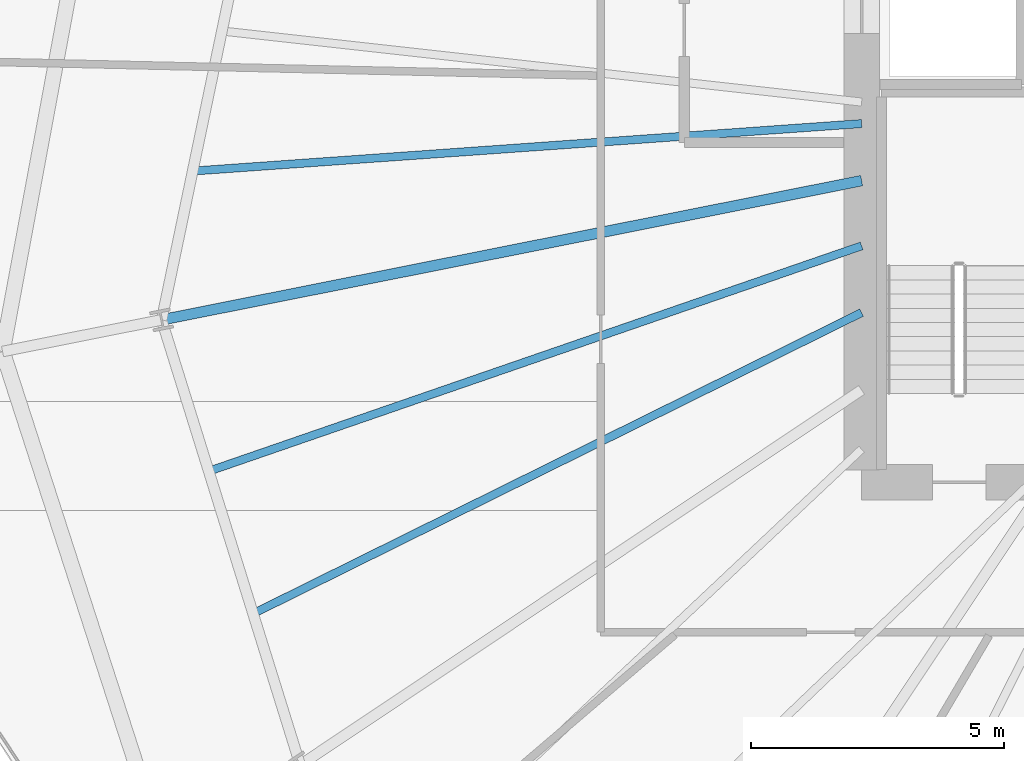
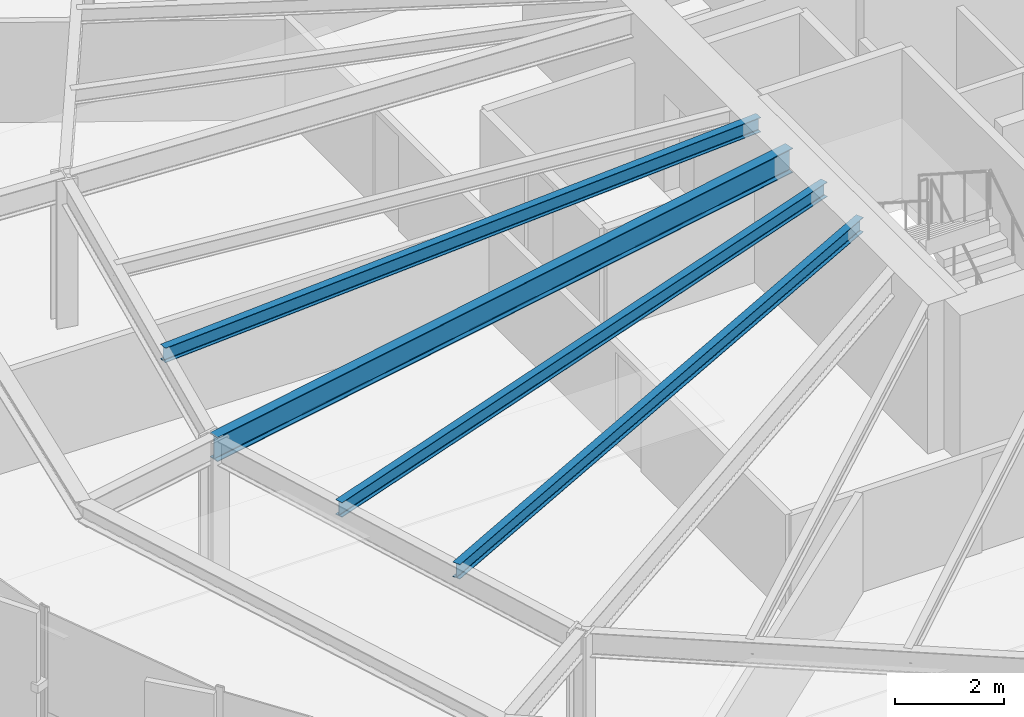
# One storey, part 8 of 35: 4 beams.
"""IFC4 building model written with IfcOpenShell, lengths in metres."""

from ifc_helpers import new_model, si_unit, direction, frame, origin, origin_2d, place, context, subcontext, project, spatial, i_section, extrude, source, transform, mapped, material, material_profile, profile_set, type_object, element, save


model = new_model("IFC4")

# Units and contexts
model_context = context("Model", 3, precision=1e-05, world=origin(), true_north=direction((0.0, 1.0)))
body_context = subcontext(model_context, "Body", "Model", "MODEL_VIEW")
ifc_project = project(units=[si_unit("LENGTHUNIT", "METRE"), si_unit("AREAUNIT", "SQUARE_METRE"), si_unit("VOLUMEUNIT", "CUBIC_METRE"), si_unit("PLANEANGLEUNIT", "RADIAN"), si_unit("MASSUNIT", "GRAM", prefix="KILO"), si_unit("THERMODYNAMICTEMPERATUREUNIT", "KELVIN")], contexts=[model_context])

# Site, building, storey
site_placement = place(None, origin())
site = spatial("IfcSite", under=ifc_project, at=site_placement, CompositionType="ELEMENT")
building_placement = place(site_placement, origin())
building = spatial("IfcBuilding", under=site, at=building_placement, Name="Kethvar Cultural Tower", CompositionType="ELEMENT")
storey_placement = place(building_placement, frame((0.0, 0.0, 96.39990234375)))
storey = spatial("IfcBuildingStorey", under=building, at=storey_placement, Name="L23", CompositionType="ELEMENT", Elevation=96.39990234375)

# Beams
ifc_material = material(Name="Steel S355J2", Category="steel")
ifc_material_profile_1 = material_profile(ifc_material, i_section(OverallWidth=0.2099609375, OverallDepth=0.550048828125, WebThickness=0.010986328125, FlangeThickness=0.01708984375, FilletRadius=0.02392578125, at=origin_2d()), Name="Steel S355J2 — IPE550")
ifc_profile_set_1 = profile_set([ifc_material_profile_1], Name="Steel S355J2 — IPE550")
beam_type_1 = type_object("IfcBeamType", Name="BM-IPE550", PredefinedType="BEAM", material=ifc_profile_set_1)
shared_shape_1 = source(origin(), body_context, "Body", "SweptSolid", [
    extrude(i_section(OverallWidth=0.2099609375, OverallDepth=0.550048828125, WebThickness=0.010986328125, FlangeThickness=0.01708984375, FilletRadius=0.02392578125, at=origin_2d()), origin(), (0.0, 0.0, 1.0), 14.085205078125),
])
beam_1_placement = place(storey_placement, frame((38.0, 26.049560546875, 3.072998046875), z_axis=(-0.98078679373, -0.195082713854, 0.0), x_axis=(0.195082713854, -0.98078679373, 0.0)))
element("IfcBeam", 1, at=beam_1_placement, inside=storey, type_object=beam_type_1, Name="L23 Primary Radial Beam RB-09", PredefinedType="BEAM", context=body_context, shape_type="MappedRepresentation", body=[
    mapped(shared_shape_1, transform((0.0, 0.0, 0.0), scale=1.0)),
])
ifc_material_profile_2 = material_profile(ifc_material, i_section(OverallWidth=0.159912109375, OverallDepth=0.330078125, WebThickness=0.007568359375, FlangeThickness=0.011474609375, FilletRadius=0.01806640625, at=origin_2d()), Name="Steel S355J2 — IPE330")
ifc_profile_set_2 = profile_set([ifc_material_profile_2], Name="Steel S355J2 — IPE330")
beam_type_2 = type_object("IfcBeamType", Name="BM-J330", PredefinedType="JOIST", material=ifc_profile_set_2)
shared_shape_2 = source(origin(), body_context, "Body", "SweptSolid", [
    extrude(i_section(OverallWidth=0.159912109375, OverallDepth=0.330078125, WebThickness=0.007568359375, FlangeThickness=0.011474609375, FilletRadius=0.01806640625, at=origin_2d()), origin(), (0.0, 0.0, 1.0), 13.234619140625),
])
beam_2_placement = place(storey_placement, frame((38.0, 27.175537109375, 3.18310546875), z_axis=(-0.997490530945, -0.070800004767, 0.0), x_axis=(0.070800004767, -0.997490530945, 0.0)))
element("IfcBeam", 2, at=beam_2_placement, inside=storey, type_object=beam_type_2, Name="L23 Composite Floor Joist J-08B", PredefinedType="JOIST", context=body_context, shape_type="MappedRepresentation", body=[
    mapped(shared_shape_2, transform((0.0, 0.0, 0.0), scale=1.0)),
])
shared_shape_3 = source(origin(), body_context, "Body", "SweptSolid", [
    extrude(i_section(OverallWidth=0.159912109375, OverallDepth=0.330078125, WebThickness=0.007568359375, FlangeThickness=0.011474609375, FilletRadius=0.01806640625, at=origin_2d()), origin(), (0.0, 0.0, 1.0), 13.630615234375),
])
beam_3_placement = place(storey_placement, frame((38.0, 24.762451171875, 3.18310546875), z_axis=(-0.945269577646, -0.326290400682, 0.0), x_axis=(0.326290400682, -0.945269577646, 0.0)))
element("IfcBeam", 3, at=beam_3_placement, inside=storey, type_object=beam_type_2, Name="L23 Composite Floor Joist J-09A", PredefinedType="JOIST", context=body_context, shape_type="MappedRepresentation", body=[
    mapped(shared_shape_3, transform((0.0, 0.0, 0.0), scale=1.0)),
])
shared_shape_4 = source(origin(), body_context, "Body", "SweptSolid", [
    extrude(i_section(OverallWidth=0.159912109375, OverallDepth=0.330078125, WebThickness=0.007568359375, FlangeThickness=0.011474609375, FilletRadius=0.01806640625, at=origin_2d()), origin(), (0.0, 0.0, 1.0), 13.39892578125),
])
beam_4_placement = place(storey_placement, frame((38.0, 23.44580078125, 3.18310546875), z_axis=(-0.896292467417, -0.44346342899, 0.0), x_axis=(0.44346342899, -0.896292467417, 0.0)))
element("IfcBeam", 4, at=beam_4_placement, inside=storey, type_object=beam_type_2, Name="L23 Composite Floor Joist J-09B", PredefinedType="JOIST", context=body_context, shape_type="MappedRepresentation", body=[
    mapped(shared_shape_4, transform((0.0, 0.0, 0.0), scale=1.0)),
])

save(model, "model.ifc")
